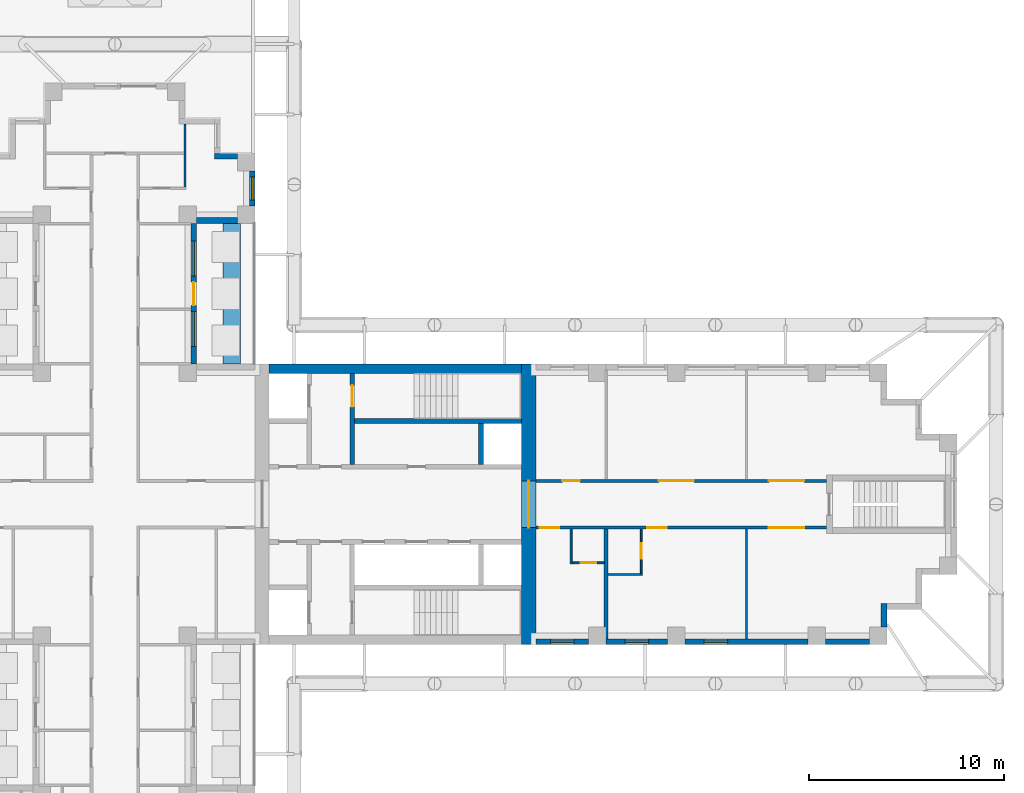
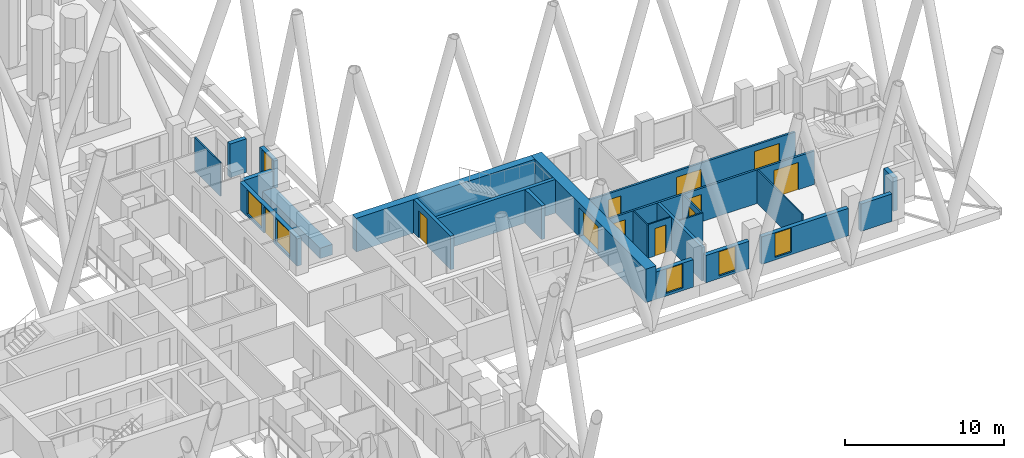
# One storey, part 11 of 16: 24 walls, 11 doors, 6 windows, 17 openings.
"""IFC4 building model written with IfcOpenShell, lengths in metres."""

from ifc_helpers import new_model, si_unit, direction, frame, frame_2d, origin, place, context, subcontext, project, spatial, rectangle, extrude, material, layer, layer_set, type_object, element, fill, save


model = new_model("IFC4")

# Units and contexts
model_context = context("Model", 3, precision=1e-05, world=origin(), true_north=direction((0.0, 1.0)))
body_context = subcontext(model_context, "Body", "Model", "MODEL_VIEW")
ifc_project = project(units=[si_unit("LENGTHUNIT", "METRE"), si_unit("AREAUNIT", "SQUARE_METRE"), si_unit("VOLUMEUNIT", "CUBIC_METRE"), si_unit("PLANEANGLEUNIT", "RADIAN"), si_unit("MASSUNIT", "GRAM", prefix="KILO")], contexts=[model_context])

# Site, building, storey
site_placement = place(None, origin())
site = spatial("IfcSite", under=ifc_project, at=site_placement, CompositionType="ELEMENT")
building_placement = place(site_placement, origin())
building = spatial("IfcBuilding", under=site, at=building_placement, Name="Fustian Cross Tower", CompositionType="ELEMENT")
storey_placement = place(building_placement, frame((0.0, 0.0, 66.89990234375)))
storey = spatial("IfcBuildingStorey", under=building, at=storey_placement, Name="L20", CompositionType="ELEMENT", Elevation=66.89990234375)

# Wall, openings, doors
ifc_material_1 = material(Name="Plasterboard on steel stud", Category="steel")
ifc_layer_1 = layer(ifc_material_1, 0.14990234375)
ifc_layer_set_1 = layer_set([ifc_layer_1], Name="Plasterboard on steel stud")
wall_type_1 = type_object("IfcWallType", Name="COMPARTMENT WALL 150 EI 60", PredefinedType="PARTITIONING", material=ifc_layer_set_1)
wall_1_placement = place(storey_placement, frame((21.60009765625, -1.199951171875, 0.0), z_axis=(0.0, 0.0, 1.0), x_axis=(1.0, 0.0, 0.0)))
wall_1 = element("IfcWall", 1, at=wall_1_placement, inside=storey, type_object=wall_type_1, Name="Partition 84", PredefinedType="PARTITIONING", context=body_context, shape_type="SweptSolid", body=[
    extrude(rectangle(XDim=14.89990234375, YDim=0.14990234375, at=frame_2d((7.449951171875, 0.0))), origin(), (0.0, 0.0, 1.0), 2.5751953125),
])
opening_1_placement = place(wall_1_placement, frame((0.199951171875, 0.0, 0.0)))
opening_1 = element("IfcOpeningElement", 2, at=opening_1_placement, cuts=wall_1, Name="Opening D11013", PredefinedType="OPENING", context=body_context, shape_type="SweptSolid", body=[
    extrude(rectangle(XDim=1.0, YDim=2.10009765625, at=frame_2d((0.5, 1.050048828125))), frame((0.0, 0.0849609375, 0.0), z_axis=(0.0, -1.0, 0.0), x_axis=(1.0, 0.0, 0.0)), (0.0, 0.0, 1.0), 0.169921875),
])
opening_2_placement = place(wall_1_placement, frame((5.7099609375, 0.0, 0.0)))
opening_2 = element("IfcOpeningElement", 3, at=opening_2_placement, cuts=wall_1, Name="Opening D11015", PredefinedType="OPENING", context=body_context, shape_type="SweptSolid", body=[
    extrude(rectangle(XDim=1.0, YDim=2.10009765625, at=frame_2d((0.5, 1.050048828125))), frame((0.0, 0.0849609375, 0.0), z_axis=(0.0, -1.0, 0.0), x_axis=(1.0, 0.0, 0.0)), (0.0, 0.0, 1.0), 0.169921875),
])
opening_3_placement = place(wall_1_placement, frame((11.949951171875, 0.0, 0.0)))
opening_3 = element("IfcOpeningElement", 4, at=opening_3_placement, cuts=wall_1, Name="Opening D11016", PredefinedType="OPENING", context=body_context, shape_type="SweptSolid", body=[
    extrude(rectangle(XDim=1.800048828125, YDim=2.10009765625, at=frame_2d((0.89990234375, 1.050048828125))), frame((0.0, 0.0849609375, 0.0), z_axis=(0.0, -1.0, 0.0), x_axis=(1.0, 0.0, 0.0)), (0.0, 0.0, 1.0), 0.169921875),
])
ifc_material_2 = material(Name="Timber fire door set", Category="wood")
door_type_1 = type_object("IfcDoorType", Name="FIRE DOUBLE DOOR 1800 FD30S", OperationType="DOUBLE_DOOR_DOUBLE_SWING", PredefinedType="DOOR", material=ifc_material_2)
door_1_placement = place(opening_3_placement, origin())
door_1 = element("IfcDoor", 5, at=door_1_placement, inside=storey, type_object=door_type_1, Name="Door D11016", OperationType="DOUBLE_DOOR_DOUBLE_SWING", OverallHeight=2.10009765625, OverallWidth=1.800048828125, PredefinedType="DOOR", context=body_context, shape_type="SweptSolid", body=[
    extrude(rectangle(XDim=1.800048828125, YDim=2.10009765625, at=frame_2d((0.89990234375, 1.050048828125))), frame((0.0, 0.02490234375, 0.0), z_axis=(0.0, -1.0, 0.0), x_axis=(1.0, 0.0, 0.0)), (0.0, 0.0, 1.0), 0.050048828125),
])
fill(opening_3, door_1)
ifc_material_3 = material(Name="Timber fire door set", Category="wood")
door_type_2 = type_object("IfcDoorType", Name="FIRE SWING DOOR 1000 FD30S", OperationType="SINGLE_SWING_LEFT", PredefinedType="DOOR", material=ifc_material_3)
door_2_placement = place(opening_1_placement, frame((1.0, 0.0, 0.0), z_axis=(0.0, 0.0, 1.0), x_axis=(-1.0, 0.0, 0.0)))
door_2 = element("IfcDoor", 6, at=door_2_placement, inside=storey, type_object=door_type_2, Name="Door D11013", OperationType="SINGLE_SWING_RIGHT", OverallHeight=2.10009765625, OverallWidth=1.0, PredefinedType="DOOR", context=body_context, shape_type="SweptSolid", body=[
    extrude(rectangle(XDim=1.0, YDim=2.10009765625, at=frame_2d((0.5, 1.050048828125))), frame((0.0, 0.02490234375, 0.0), z_axis=(0.0, -1.0, 0.0), x_axis=(1.0, 0.0, 0.0)), (0.0, 0.0, 1.0), 0.050048828125),
])
fill(opening_1, door_2)
door_3_placement = place(opening_2_placement, frame((1.0, 0.0, 0.0), z_axis=(0.0, 0.0, 1.0), x_axis=(-1.0, 0.0, 0.0)))
door_3 = element("IfcDoor", 7, at=door_3_placement, inside=storey, type_object=door_type_2, Name="Door D11015", OperationType="SINGLE_SWING_RIGHT", OverallHeight=2.10009765625, OverallWidth=1.0, PredefinedType="DOOR", context=body_context, shape_type="SweptSolid", body=[
    extrude(rectangle(XDim=1.0, YDim=2.10009765625, at=frame_2d((0.5, 1.050048828125))), frame((0.0, 0.02490234375, 0.0), z_axis=(0.0, -1.0, 0.0), x_axis=(1.0, 0.0, 0.0)), (0.0, 0.0, 1.0), 0.050048828125),
])
fill(opening_2, door_3)

wall_2_placement = place(storey_placement, frame((21.60009765625, 1.199951171875, 0.0), z_axis=(0.0, 0.0, 1.0), x_axis=(1.0, 0.0, 0.0)))
wall_2 = element("IfcWall", 8, at=wall_2_placement, inside=storey, type_object=wall_type_1, Name="Partition 85", PredefinedType="PARTITIONING", context=body_context, shape_type="SweptSolid", body=[
    extrude(rectangle(XDim=14.89990234375, YDim=0.14990234375, at=frame_2d((7.449951171875, 0.0))), origin(), (0.0, 0.0, 1.0), 2.5751953125),
])
opening_4_placement = place(wall_2_placement, frame((1.35009765625, 0.0, 0.0)))
opening_4 = element("IfcOpeningElement", 9, at=opening_4_placement, cuts=wall_2, Name="Opening D11009", PredefinedType="OPENING", context=body_context, shape_type="SweptSolid", body=[
    extrude(rectangle(XDim=0.89990234375, YDim=2.10009765625, at=frame_2d((0.449951171875, 1.050048828125))), frame((0.0, 0.0849609375, 0.0), z_axis=(0.0, -1.0, 0.0), x_axis=(1.0, 0.0, 0.0)), (0.0, 0.0, 1.0), 0.169921875),
])
opening_5_placement = place(wall_2_placement, frame((6.300048828125, 0.0, 0.0)))
opening_5 = element("IfcOpeningElement", 10, at=opening_5_placement, cuts=wall_2, Name="Opening D11010", PredefinedType="OPENING", context=body_context, shape_type="SweptSolid", body=[
    extrude(rectangle(XDim=1.800048828125, YDim=2.10009765625, at=frame_2d((0.89990234375, 1.050048828125))), frame((0.0, 0.0849609375, 0.0), z_axis=(0.0, -1.0, 0.0), x_axis=(1.0, 0.0, 0.0)), (0.0, 0.0, 1.0), 0.169921875),
])
opening_6_placement = place(wall_2_placement, frame((11.949951171875, 0.0, 0.0)))
opening_6 = element("IfcOpeningElement", 11, at=opening_6_placement, cuts=wall_2, Name="Opening D11011", PredefinedType="OPENING", context=body_context, shape_type="SweptSolid", body=[
    extrude(rectangle(XDim=1.800048828125, YDim=2.10009765625, at=frame_2d((0.89990234375, 1.050048828125))), frame((0.0, 0.0849609375, 0.0), z_axis=(0.0, -1.0, 0.0), x_axis=(1.0, 0.0, 0.0)), (0.0, 0.0, 1.0), 0.169921875),
])
door_4_placement = place(opening_5_placement, frame((1.800048828125, 0.0, 0.0), z_axis=(0.0, 0.0, 1.0), x_axis=(-1.0, 0.0, 0.0)))
door_4 = element("IfcDoor", 12, at=door_4_placement, inside=storey, type_object=door_type_1, Name="Door D11010", OperationType="DOUBLE_DOOR_DOUBLE_SWING", OverallHeight=2.10009765625, OverallWidth=1.800048828125, PredefinedType="DOOR", context=body_context, shape_type="SweptSolid", body=[
    extrude(rectangle(XDim=1.800048828125, YDim=2.10009765625, at=frame_2d((0.89990234375, 1.050048828125))), frame((0.0, 0.02490234375, 0.0), z_axis=(0.0, -1.0, 0.0), x_axis=(1.0, 0.0, 0.0)), (0.0, 0.0, 1.0), 0.050048828125),
])
fill(opening_5, door_4)
door_5_placement = place(opening_6_placement, frame((1.800048828125, 0.0, 0.0), z_axis=(0.0, 0.0, 1.0), x_axis=(-1.0, 0.0, 0.0)))
door_5 = element("IfcDoor", 13, at=door_5_placement, inside=storey, type_object=door_type_1, Name="Door D11011", OperationType="DOUBLE_DOOR_DOUBLE_SWING", OverallHeight=2.10009765625, OverallWidth=1.800048828125, PredefinedType="DOOR", context=body_context, shape_type="SweptSolid", body=[
    extrude(rectangle(XDim=1.800048828125, YDim=2.10009765625, at=frame_2d((0.89990234375, 1.050048828125))), frame((0.0, 0.02490234375, 0.0), z_axis=(0.0, -1.0, 0.0), x_axis=(1.0, 0.0, 0.0)), (0.0, 0.0, 1.0), 0.050048828125),
])
fill(opening_6, door_5)
ifc_material_4 = material(Name="Timber fire door set", Category="wood")
door_type_3 = type_object("IfcDoorType", Name="FIRE SWING DOOR 900 FD30S", OperationType="SINGLE_SWING_LEFT", PredefinedType="DOOR", material=ifc_material_4)
door_6_placement = place(opening_4_placement, origin())
door_6 = element("IfcDoor", 14, at=door_6_placement, inside=storey, type_object=door_type_3, Name="Door D11009", OperationType="SINGLE_SWING_LEFT", OverallHeight=2.10009765625, OverallWidth=0.89990234375, PredefinedType="DOOR", context=body_context, shape_type="SweptSolid", body=[
    extrude(rectangle(XDim=0.89990234375, YDim=2.10009765625, at=frame_2d((0.449951171875, 1.050048828125))), frame((0.0, 0.02490234375, 0.0), z_axis=(0.0, -1.0, 0.0), x_axis=(1.0, 0.0, 0.0)), (0.0, 0.0, 1.0), 0.050048828125),
])
fill(opening_4, door_6)

# Wall, opening, door
ifc_material_5 = material(Name="Concrete C70/85", Category="concrete")
ifc_layer_2 = layer(ifc_material_5, 0.75)
ifc_layer_set_2 = layer_set([ifc_layer_2], Name="Concrete C70/85")
wall_type_2 = type_object("IfcWallType", Name="CORE END WALL 750 C70/85", PredefinedType="SHEAR", material=ifc_layer_set_2)
wall_3_placement = place(storey_placement, frame((21.22509765625, -7.199951171875, 0.0), z_axis=(0.0, 0.0, 1.0), x_axis=(0.0, 1.0, 0.0)))
wall_3 = element("IfcWall", 15, at=wall_3_placement, inside=storey, type_object=wall_type_2, Name="Core end wall", PredefinedType="SHEAR", context=body_context, shape_type="SweptSolid", body=[
    extrude(rectangle(XDim=14.39990234375, YDim=0.75, at=frame_2d((7.199951171875, 0.0))), origin(), (0.0, 0.0, 1.0), 2.5751953125),
])
opening_7_placement = place(wall_3_placement, frame((6.0, 0.0, 0.0)))
opening_7 = element("IfcOpeningElement", 16, at=opening_7_placement, cuts=wall_3, Name="Opening CD-09-13", PredefinedType="OPENING", context=body_context, shape_type="SweptSolid", body=[
    extrude(rectangle(XDim=2.39990234375, YDim=2.199951171875, at=frame_2d((1.199951171875, 1.10009765625))), frame((0.0, 0.385009765625, 0.0), z_axis=(0.0, -1.0, 0.0), x_axis=(1.0, 0.0, 0.0)), (0.0, 0.0, 1.0), 0.77001953125),
])
ifc_material_6 = material(Name="Steel", Category="steel")
door_type_4 = type_object("IfcDoorType", Name="FIRE DOOR FD30S DOUBLE 2400X2200", OperationType="DOUBLE_DOOR_DOUBLE_SWING", PredefinedType="DOOR", material=ifc_material_6)
door_7_placement = place(opening_7_placement, origin())
door_7 = element("IfcDoor", 17, at=door_7_placement, inside=storey, type_object=door_type_4, Name="Core door CD-09-13", OperationType="DOUBLE_DOOR_DOUBLE_SWING", OverallHeight=2.199951171875, OverallWidth=2.39990234375, PredefinedType="DOOR", context=body_context, shape_type="SweptSolid", body=[
    extrude(rectangle(XDim=2.39990234375, YDim=2.199951171875, at=frame_2d((1.199951171875, 1.10009765625))), frame((0.0, 0.02490234375, 0.0), z_axis=(0.0, -1.0, 0.0), x_axis=(1.0, 0.0, 0.0)), (0.0, 0.0, 1.0), 0.050048828125),
])
fill(opening_7, door_7)

# Walls
ifc_material_7 = material(Name="Concrete C70/85", Category="concrete")
ifc_layer_3 = layer(ifc_material_7, 0.5)
ifc_layer_set_3 = layer_set([ifc_layer_3], Name="Concrete C70/85")
wall_type_3 = type_object("IfcWallType", Name="CORE FACADE WALL 500 C70/85", PredefinedType="SHEAR", material=ifc_layer_set_3)
wall_4_placement = place(storey_placement, frame((7.89990234375, 6.949951171875, 0.0), z_axis=(0.0, 0.0, 1.0), x_axis=(1.0, 0.0, 0.0)))
element("IfcWall", 18, at=wall_4_placement, inside=storey, type_object=wall_type_3, Name="Core facade wall", PredefinedType="SHEAR", context=body_context, shape_type="SweptSolid", body=[
    extrude(rectangle(XDim=12.9501953125, YDim=0.5, at=frame_2d((6.47509765625, 0.0))), origin(), (0.0, 0.0, 1.0), 2.5751953125),
])
ifc_material_8 = material(Name="Concrete C50/60", Category="concrete")
ifc_layer_4 = layer(ifc_material_8, 0.25)
ifc_layer_set_4 = layer_set([ifc_layer_4], Name="Concrete C50/60")
wall_type_4 = type_object("IfcWallType", Name="CORE SHAFT WALL 250 C50/60", PredefinedType="SHEAR", material=ifc_layer_set_4)
wall_5_placement = place(storey_placement, frame((12.300048828125, 4.27490234375, 0.0), z_axis=(0.0, 0.0, 1.0), x_axis=(1.0, 0.0, 0.0)))
element("IfcWall", 19, at=wall_5_placement, inside=storey, type_object=wall_type_4, Name="Core shaft wall", PredefinedType="SHEAR", context=body_context, shape_type="SweptSolid", body=[
    extrude(rectangle(XDim=8.550048828125, YDim=0.25, at=frame_2d((4.27490234375, 0.0))), origin(), (0.0, 0.0, 1.0), 2.5751953125),
])

# Wall, opening, door
wall_6_placement = place(storey_placement, frame((12.175048828125, 2.050048828125, 0.0), z_axis=(0.0, 0.0, 1.0), x_axis=(0.0, 1.0, 0.0)))
wall_6 = element("IfcWall", 20, at=wall_6_placement, inside=storey, type_object=wall_type_4, Name="Core shaft wall", PredefinedType="SHEAR", context=body_context, shape_type="SweptSolid", body=[
    extrude(rectangle(XDim=4.64990234375, YDim=0.25, at=frame_2d((2.324951171875, 0.0))), origin(), (0.0, 0.0, 1.0), 2.5751953125),
])
opening_8_placement = place(wall_6_placement, frame((2.949951171875, 0.0, 0.0)))
opening_8 = element("IfcOpeningElement", 21, at=opening_8_placement, cuts=wall_6, Name="Opening CD-09-06", PredefinedType="OPENING", context=body_context, shape_type="SweptSolid", body=[
    extrude(rectangle(XDim=1.10009765625, YDim=2.10009765625, at=frame_2d((0.550048828125, 1.050048828125))), frame((0.0, 0.135009765625, 0.0), z_axis=(0.0, -1.0, 0.0), x_axis=(1.0, 0.0, 0.0)), (0.0, 0.0, 1.0), 0.27001953125),
])
ifc_material_9 = material(Name="Steel", Category="steel")
door_type_5 = type_object("IfcDoorType", Name="FIRE DOOR FD60S 1100X2100", OperationType="SINGLE_SWING_LEFT", PredefinedType="DOOR", material=ifc_material_9)
door_8_placement = place(opening_8_placement, frame((1.10009765625, 0.0, 0.0), z_axis=(0.0, 0.0, 1.0), x_axis=(-1.0, 0.0, 0.0)))
door_8 = element("IfcDoor", 22, at=door_8_placement, inside=storey, type_object=door_type_5, Name="Core door CD-09-06", OperationType="SINGLE_SWING_RIGHT", OverallHeight=2.10009765625, OverallWidth=1.10009765625, PredefinedType="DOOR", context=body_context, shape_type="SweptSolid", body=[
    extrude(rectangle(XDim=1.10009765625, YDim=2.10009765625, at=frame_2d((0.550048828125, 1.050048828125))), frame((0.0, 0.02490234375, 0.0), z_axis=(0.0, -1.0, 0.0), x_axis=(1.0, 0.0, 0.0)), (0.0, 0.0, 1.0), 0.050048828125),
])
fill(opening_8, door_8)

# Walls
ifc_material_10 = material(Name="Plasterboard on steel stud", Category="steel")
ifc_layer_5 = layer(ifc_material_10, 0.10009765625)
ifc_layer_set_5 = layer_set([ifc_layer_5], Name="Plasterboard on steel stud")
wall_type_5 = type_object("IfcWallType", Name="PARTITION 100 STUD", PredefinedType="PARTITIONING", material=ifc_layer_set_5)
wall_7_placement = place(storey_placement, frame((3.60009765625, 16.25, 0.0), z_axis=(0.0, 0.0, 1.0), x_axis=(0.0, 1.0, 0.0)))
element("IfcWall", 23, at=wall_7_placement, inside=storey, type_object=wall_type_5, Name="Partition 77", PredefinedType="PARTITIONING", context=body_context, shape_type="SweptSolid", body=[
    extrude(rectangle(XDim=3.25, YDim=0.10009765625, at=frame_2d((1.625, 0.0))), origin(), (0.0, 0.0, 1.0), 2.5751953125),
])
wall_8_placement = place(storey_placement, frame((23.39990234375, -3.050048828125, 0.0), z_axis=(0.0, 0.0, 1.0), x_axis=(0.0, 1.0, 0.0)))
element("IfcWall", 24, at=wall_8_placement, inside=storey, type_object=wall_type_5, Name="Partition 86", PredefinedType="PARTITIONING", context=body_context, shape_type="SweptSolid", body=[
    extrude(rectangle(XDim=1.775146484375, YDim=0.10009765625, at=frame_2d((0.8876953125, 0.0))), origin(), (0.0, 0.0, 1.0), 2.5751953125),
])

# Wall, opening, door
wall_9_placement = place(storey_placement, frame((23.449951171875, -3.0, 0.0), z_axis=(0.0, 0.0, 1.0), x_axis=(1.0, 0.0, 0.0)))
wall_9 = element("IfcWall", 25, at=wall_9_placement, inside=storey, type_object=wall_type_5, Name="Partition 87", PredefinedType="PARTITIONING", context=body_context, shape_type="SweptSolid", body=[
    extrude(rectangle(XDim=1.650146484375, YDim=0.10009765625, at=frame_2d((0.8251953125, 0.0))), origin(), (0.0, 0.0, 1.0), 2.5751953125),
])
opening_9_placement = place(wall_9_placement, frame((0.449951171875, 0.0, 0.0)))
opening_9 = element("IfcOpeningElement", 26, at=opening_9_placement, cuts=wall_9, Name="Opening D11012", PredefinedType="OPENING", context=body_context, shape_type="SweptSolid", body=[
    extrude(rectangle(XDim=0.800048828125, YDim=2.10009765625, at=frame_2d((0.39990234375, 1.050048828125))), frame((0.0, 0.06005859375, 0.0), z_axis=(0.0, -1.0, 0.0), x_axis=(1.0, 0.0, 0.0)), (0.0, 0.0, 1.0), 0.1201171875),
])
ifc_material_11 = material(Name="Painted timber", Category="wood")
door_type_6 = type_object("IfcDoorType", Name="SWING DOOR 800", OperationType="SINGLE_SWING_LEFT", PredefinedType="DOOR", material=ifc_material_11)
door_9_placement = place(opening_9_placement, origin())
door_9 = element("IfcDoor", 27, at=door_9_placement, inside=storey, type_object=door_type_6, Name="Door D11012", OperationType="SINGLE_SWING_RIGHT", OverallHeight=2.10009765625, OverallWidth=0.800048828125, PredefinedType="DOOR", context=body_context, shape_type="SweptSolid", body=[
    extrude(rectangle(XDim=0.800048828125, YDim=2.10009765625, at=frame_2d((0.39990234375, 1.050048828125))), frame((0.0, 0.02490234375, 0.0), z_axis=(0.0, -1.0, 0.0), x_axis=(1.0, 0.0, 0.0)), (0.0, 0.0, 1.0), 0.050048828125),
])
fill(opening_9, door_9)

# Wall
wall_10_placement = place(storey_placement, frame((25.300048828125, -3.60009765625, 0.0), z_axis=(0.0, 0.0, 1.0), x_axis=(1.0, 0.0, 0.0)))
element("IfcWall", 28, at=wall_10_placement, inside=storey, type_object=wall_type_5, Name="Partition 89", PredefinedType="PARTITIONING", context=body_context, shape_type="SweptSolid", body=[
    extrude(rectangle(XDim=1.75, YDim=0.10009765625, at=frame_2d((0.875, 0.0))), origin(), (0.0, 0.0, 1.0), 2.5751953125),
])

# Wall, opening, door
wall_11_placement = place(storey_placement, frame((27.0, -3.550048828125, 0.0), z_axis=(0.0, 0.0, 1.0), x_axis=(0.0, 1.0, 0.0)))
wall_11 = element("IfcWall", 29, at=wall_11_placement, inside=storey, type_object=wall_type_5, Name="Partition 91", PredefinedType="PARTITIONING", context=body_context, shape_type="SweptSolid", body=[
    extrude(rectangle(XDim=2.275146484375, YDim=0.10009765625, at=frame_2d((1.1376953125, 0.0))), origin(), (0.0, 0.0, 1.0), 2.5751953125),
])
opening_10_placement = place(wall_11_placement, frame((0.75, 0.0, 0.0)))
opening_10 = element("IfcOpeningElement", 30, at=opening_10_placement, cuts=wall_11, Name="Opening D11014", PredefinedType="OPENING", context=body_context, shape_type="SweptSolid", body=[
    extrude(rectangle(XDim=0.800048828125, YDim=2.10009765625, at=frame_2d((0.39990234375, 1.050048828125))), frame((0.0, 0.06005859375, 0.0), z_axis=(0.0, -1.0, 0.0), x_axis=(1.0, 0.0, 0.0)), (0.0, 0.0, 1.0), 0.1201171875),
])
door_10_placement = place(opening_10_placement, origin())
door_10 = element("IfcDoor", 31, at=door_10_placement, inside=storey, type_object=door_type_6, Name="Door D11014", OperationType="SINGLE_SWING_LEFT", OverallHeight=2.10009765625, OverallWidth=0.800048828125, PredefinedType="DOOR", context=body_context, shape_type="SweptSolid", body=[
    extrude(rectangle(XDim=0.800048828125, YDim=2.10009765625, at=frame_2d((0.39990234375, 1.050048828125))), frame((0.0, 0.02490234375, 0.0), z_axis=(0.0, -1.0, 0.0), x_axis=(1.0, 0.0, 0.0)), (0.0, 0.0, 1.0), 0.050048828125),
])
fill(opening_10, door_10)

# Walls
wall_12_placement = place(storey_placement, frame((32.39990234375, -6.89990234375, 0.0), z_axis=(0.0, 0.0, 1.0), x_axis=(0.0, 1.0, 0.0)))
element("IfcWall", 32, at=wall_12_placement, inside=storey, type_object=wall_type_5, Name="Partition 92", PredefinedType="PARTITIONING", context=body_context, shape_type="SweptSolid", body=[
    extrude(rectangle(XDim=5.625, YDim=0.10009765625, at=frame_2d((2.8125, 0.0))), origin(), (0.0, 0.0, 1.0), 2.5751953125),
])
ifc_material_12 = material(Name="Plasterboard on steel stud", Category="steel")
ifc_layer_6 = layer(ifc_material_12, 0.199951171875)
ifc_layer_set_6 = layer_set([ifc_layer_6], Name="Plasterboard on steel stud")
wall_type_6 = type_object("IfcWallType", Name="PARTY WALL 200 EI 60", PredefinedType="PARTITIONING", material=ifc_layer_set_6)
wall_13_placement = place(storey_placement, frame((25.199951171875, -6.89990234375, 0.0), z_axis=(0.0, 0.0, 1.0), x_axis=(0.0, 1.0, 0.0)))
element("IfcWall", 33, at=wall_13_placement, inside=storey, type_object=wall_type_6, Name="Partition 88", PredefinedType="PARTITIONING", context=body_context, shape_type="SweptSolid", body=[
    extrude(rectangle(XDim=5.625, YDim=0.199951171875, at=frame_2d((2.8125, 0.0))), origin(), (0.0, 0.0, 1.0), 2.5751953125),
])
ifc_material_13 = material(Name="Concrete C40/50", Category="concrete")
ifc_layer_7 = layer(ifc_material_13, 0.89990234375)
ifc_layer_set_7 = layer_set([ifc_layer_7], Name="Concrete C40/50")
wall_type_7 = type_object("IfcWallType", Name="PK1 PLANTER 900", PredefinedType="PARAPET", material=ifc_layer_set_7)
wall_14_placement = place(storey_placement, frame((6.0, 7.199951171875, 0.0), z_axis=(0.0, 0.0, 1.0), x_axis=(0.0, 1.0, 0.0)))
element("IfcWall", 34, at=wall_14_placement, inside=storey, type_object=wall_type_7, Name="PLANTER", PredefinedType="PARAPET", context=body_context, shape_type="SweptSolid", body=[
    extrude(rectangle(XDim=7.199951171875, YDim=0.89990234375, at=frame_2d((3.60009765625, 0.0))), origin(), (0.0, 0.0, 1.0), 0.800048828125),
])
ifc_material_14 = material(Name="Concrete C40/50", Category="concrete")
ifc_layer_8 = layer(ifc_material_14, 0.25)
ifc_layer_set_8 = layer_set([ifc_layer_8], Name="Concrete C40/50")
wall_type_8 = type_object("IfcWallType", Name="SHAFT PARTITION WALL 250 C40/50", PredefinedType="PARTITIONING", material=ifc_layer_set_8)
wall_15_placement = place(storey_placement, frame((18.77490234375, 2.050048828125, 0.0), z_axis=(0.0, 0.0, 1.0), x_axis=(0.0, 1.0, 0.0)))
element("IfcWall", 35, at=wall_15_placement, inside=storey, type_object=wall_type_8, Name="Core shaft wall", PredefinedType="PARTITIONING", context=body_context, shape_type="SweptSolid", body=[
    extrude(rectangle(XDim=2.099853515625, YDim=0.25, at=frame_2d((1.0498046875, 0.0))), origin(), (0.0, 0.0, 1.0), 2.5751953125),
])

# Wall, opening, window
ifc_material_15 = material(Name="Dark aluminium cladding on insulated backing wall", Category="aluminium")
ifc_layer_9 = layer(ifc_material_15, 0.300048828125)
ifc_layer_set_9 = layer_set([ifc_layer_9], Name="Dark aluminium cladding on insulated backing wall")
wall_type_9 = type_object("IfcWallType", Name="XW1 EXTERNAL WALL 300", PredefinedType="SOLIDWALL", material=ifc_layer_set_9)
wall_16_placement = place(storey_placement, frame((21.60009765625, -7.050048828125, 0.0), z_axis=(0.0, 0.0, 1.0), x_axis=(1.0, 0.0, 0.0)))
wall_16 = element("IfcWall", 36, at=wall_16_placement, inside=storey, type_object=wall_type_9, Name="External wall", PredefinedType="SOLIDWALL", context=body_context, shape_type="SweptSolid", body=[
    extrude(rectangle(XDim=2.699951171875, YDim=0.300048828125, at=frame_2d((1.35009765625, 0.0))), origin(), (0.0, 0.0, 1.0), 2.10009765625),
])
opening_11_placement = place(wall_16_placement, frame((0.75, 0.0, 0.199951171875)))
opening_11 = element("IfcOpeningElement", 37, at=opening_11_placement, cuts=wall_16, Name="Opening WN3", PredefinedType="OPENING", context=body_context, shape_type="SweptSolid", body=[
    extrude(rectangle(XDim=1.199951171875, YDim=1.85009765625, at=frame_2d((0.60009765625, 0.925048828125))), frame((0.0, 0.159912109375, 0.0), z_axis=(0.0, -1.0, 0.0), x_axis=(1.0, 0.0, 0.0)), (0.0, 0.0, 1.0), 0.320068359375),
])
ifc_material_16 = material(Name="Dark anodised aluminium and double glazing", Category="aluminium")
window_type_1 = type_object("IfcWindowType", Name="WN3 WINDOW 1200X1850", PartitioningType="SINGLE_PANEL", PredefinedType="WINDOW", material=ifc_material_16)
window_1_placement = place(opening_11_placement, origin())
window_1 = element("IfcWindow", 38, at=window_1_placement, inside=storey, type_object=window_type_1, Name="Window", OverallHeight=1.85009765625, OverallWidth=1.199951171875, PartitioningType="SINGLE_PANEL", PredefinedType="WINDOW", context=body_context, shape_type="SweptSolid", body=[
    extrude(rectangle(XDim=1.199951171875, YDim=1.85009765625, at=frame_2d((0.60009765625, 0.925048828125))), frame((0.0, 0.030029296875, 0.0), z_axis=(0.0, -1.0, 0.0), x_axis=(1.0, 0.0, 0.0)), (0.0, 0.0, 1.0), 0.06005859375),
])
fill(opening_11, window_1)

wall_17_placement = place(storey_placement, frame((25.199951171875, -7.050048828125, 0.0), z_axis=(0.0, 0.0, 1.0), x_axis=(1.0, 0.0, 0.0)))
wall_17 = element("IfcWall", 39, at=wall_17_placement, inside=storey, type_object=wall_type_9, Name="External wall", PredefinedType="SOLIDWALL", context=body_context, shape_type="SweptSolid", body=[
    extrude(rectangle(XDim=3.150146484375, YDim=0.300048828125, at=frame_2d((1.5751953125, 0.0))), origin(), (0.0, 0.0, 1.0), 2.10009765625),
])
opening_12_placement = place(wall_17_placement, frame((0.97509765625, 0.0, 0.199951171875)))
opening_12 = element("IfcOpeningElement", 40, at=opening_12_placement, cuts=wall_17, Name="Opening WN3", PredefinedType="OPENING", context=body_context, shape_type="SweptSolid", body=[
    extrude(rectangle(XDim=1.199951171875, YDim=1.85009765625, at=frame_2d((0.60009765625, 0.925048828125))), frame((0.0, 0.159912109375, 0.0), z_axis=(0.0, -1.0, 0.0), x_axis=(1.0, 0.0, 0.0)), (0.0, 0.0, 1.0), 0.320068359375),
])
window_2_placement = place(opening_12_placement, origin())
window_2 = element("IfcWindow", 41, at=window_2_placement, inside=storey, type_object=window_type_1, Name="Window", OverallHeight=1.85009765625, OverallWidth=1.199951171875, PartitioningType="SINGLE_PANEL", PredefinedType="WINDOW", context=body_context, shape_type="SweptSolid", body=[
    extrude(rectangle(XDim=1.199951171875, YDim=1.85009765625, at=frame_2d((0.60009765625, 0.925048828125))), frame((0.0, 0.030029296875, 0.0), z_axis=(0.0, -1.0, 0.0), x_axis=(1.0, 0.0, 0.0)), (0.0, 0.0, 1.0), 0.06005859375),
])
fill(opening_12, window_2)

wall_18_placement = place(storey_placement, frame((29.25, -7.050048828125, 0.0), z_axis=(0.0, 0.0, 1.0), x_axis=(1.0, 0.0, 0.0)))
wall_18 = element("IfcWall", 42, at=wall_18_placement, inside=storey, type_object=wall_type_9, Name="External wall", PredefinedType="SOLIDWALL", context=body_context, shape_type="SweptSolid", body=[
    extrude(rectangle(XDim=6.300048828125, YDim=0.300048828125, at=frame_2d((3.14990234375, 0.0))), origin(), (0.0, 0.0, 1.0), 2.10009765625),
])
opening_13_placement = place(wall_18_placement, frame((0.97509765625, 0.0, 0.199951171875)))
opening_13 = element("IfcOpeningElement", 43, at=opening_13_placement, cuts=wall_18, Name="Opening WN3", PredefinedType="OPENING", context=body_context, shape_type="SweptSolid", body=[
    extrude(rectangle(XDim=1.199951171875, YDim=1.85009765625, at=frame_2d((0.60009765625, 0.925048828125))), frame((0.0, 0.159912109375, 0.0), z_axis=(0.0, -1.0, 0.0), x_axis=(1.0, 0.0, 0.0)), (0.0, 0.0, 1.0), 0.320068359375),
])
window_3_placement = place(opening_13_placement, origin())
window_3 = element("IfcWindow", 44, at=window_3_placement, inside=storey, type_object=window_type_1, Name="Window", OverallHeight=1.85009765625, OverallWidth=1.199951171875, PartitioningType="SINGLE_PANEL", PredefinedType="WINDOW", context=body_context, shape_type="SweptSolid", body=[
    extrude(rectangle(XDim=1.199951171875, YDim=1.85009765625, at=frame_2d((0.60009765625, 0.925048828125))), frame((0.0, 0.030029296875, 0.0), z_axis=(0.0, -1.0, 0.0), x_axis=(1.0, 0.0, 0.0)), (0.0, 0.0, 1.0), 0.06005859375),
])
fill(opening_13, window_3)

# Walls
wall_19_placement = place(storey_placement, frame((36.449951171875, -7.050048828125, 0.0), z_axis=(0.0, 0.0, 1.0), x_axis=(1.0, 0.0, 0.0)))
element("IfcWall", 45, at=wall_19_placement, inside=storey, type_object=wall_type_9, Name="External wall", PredefinedType="SOLIDWALL", context=body_context, shape_type="SweptSolid", body=[
    extrude(rectangle(XDim=2.25, YDim=0.300048828125, at=frame_2d((1.125, 0.0))), origin(), (0.0, 0.0, 1.0), 2.10009765625),
])
wall_20_placement = place(storey_placement, frame((39.449951171875, -6.300048828125, 0.0), z_axis=(0.0, 0.0, 1.0), x_axis=(0.0, 1.0, 0.0)))
element("IfcWall", 46, at=wall_20_placement, inside=storey, type_object=wall_type_9, Name="External wall", PredefinedType="SOLIDWALL", context=body_context, shape_type="SweptSolid", body=[
    extrude(rectangle(XDim=1.199951171875, YDim=0.300048828125, at=frame_2d((0.60009765625, 0.0))), origin(), (0.0, 0.0, 1.0), 2.5751953125),
])

# Wall, openings, door, windows
wall_21_placement = place(storey_placement, frame((4.050048828125, 7.199951171875, 0.0), z_axis=(0.0, 0.0, 1.0), x_axis=(0.0, 1.0, 0.0)))
wall_21 = element("IfcWall", 47, at=wall_21_placement, inside=storey, type_object=wall_type_9, Name="External wall", PredefinedType="SOLIDWALL", context=body_context, shape_type="SweptSolid", body=[
    extrude(rectangle(XDim=7.199951171875, YDim=0.300048828125, at=frame_2d((3.60009765625, 0.0))), origin(), (0.0, 0.0, 1.0), 2.10009765625),
])
opening_14_placement = place(wall_21_placement, frame((3.0, 0.0, 0.0)))
opening_14 = element("IfcOpeningElement", 48, at=opening_14_placement, cuts=wall_21, Name="Opening XD1", PredefinedType="OPENING", context=body_context, shape_type="SweptSolid", body=[
    extrude(rectangle(XDim=1.199951171875, YDim=2.050048828125, at=frame_2d((0.60009765625, 1.02490234375))), frame((0.0, 0.159912109375, 0.0), z_axis=(0.0, -1.0, 0.0), x_axis=(1.0, 0.0, 0.0)), (0.0, 0.0, 1.0), 0.320068359375),
])
opening_15_placement = place(wall_21_placement, frame((0.89990234375, 0.0, 0.199951171875)))
opening_15 = element("IfcOpeningElement", 49, at=opening_15_placement, cuts=wall_21, Name="Opening WN2", PredefinedType="OPENING", context=body_context, shape_type="SweptSolid", body=[
    extrude(rectangle(XDim=1.800048828125, YDim=1.85009765625, at=frame_2d((0.89990234375, 0.925048828125))), frame((0.0, 0.159912109375, 0.0), z_axis=(0.0, -1.0, 0.0), x_axis=(1.0, 0.0, 0.0)), (0.0, 0.0, 1.0), 0.320068359375),
])
opening_16_placement = place(wall_21_placement, frame((4.5, 0.0, 0.199951171875)))
opening_16 = element("IfcOpeningElement", 50, at=opening_16_placement, cuts=wall_21, Name="Opening WN2", PredefinedType="OPENING", context=body_context, shape_type="SweptSolid", body=[
    extrude(rectangle(XDim=1.800048828125, YDim=1.85009765625, at=frame_2d((0.89990234375, 0.925048828125))), frame((0.0, 0.159912109375, 0.0), z_axis=(0.0, -1.0, 0.0), x_axis=(1.0, 0.0, 0.0)), (0.0, 0.0, 1.0), 0.320068359375),
])
ifc_material_17 = material(Name="Dark anodised aluminium and double glazing", Category="aluminium")
door_type_7 = type_object("IfcDoorType", Name="ED1 BALCONY DOOR 1200X2050", OperationType="SINGLE_SWING_LEFT", PredefinedType="DOOR", material=ifc_material_17)
door_11_placement = place(opening_14_placement, origin())
door_11 = element("IfcDoor", 51, at=door_11_placement, inside=storey, type_object=door_type_7, Name="Balcony door", OperationType="SINGLE_SWING_LEFT", OverallHeight=2.050048828125, OverallWidth=1.199951171875, PredefinedType="DOOR", context=body_context, shape_type="SweptSolid", body=[
    extrude(rectangle(XDim=1.199951171875, YDim=2.050048828125, at=frame_2d((0.60009765625, 1.02490234375))), frame((0.0, 0.02490234375, 0.0), z_axis=(0.0, -1.0, 0.0), x_axis=(1.0, 0.0, 0.0)), (0.0, 0.0, 1.0), 0.050048828125),
])
fill(opening_14, door_11)
ifc_material_18 = material(Name="Dark anodised aluminium and double glazing", Category="aluminium")
window_type_2 = type_object("IfcWindowType", Name="WN2 WINDOW 1800X1850", PartitioningType="SINGLE_PANEL", PredefinedType="WINDOW", material=ifc_material_18)
window_4_placement = place(opening_15_placement, origin())
window_4 = element("IfcWindow", 52, at=window_4_placement, inside=storey, type_object=window_type_2, Name="Window", OverallHeight=1.85009765625, OverallWidth=1.800048828125, PartitioningType="SINGLE_PANEL", PredefinedType="WINDOW", context=body_context, shape_type="SweptSolid", body=[
    extrude(rectangle(XDim=1.800048828125, YDim=1.85009765625, at=frame_2d((0.89990234375, 0.925048828125))), frame((0.0, 0.030029296875, 0.0), z_axis=(0.0, -1.0, 0.0), x_axis=(1.0, 0.0, 0.0)), (0.0, 0.0, 1.0), 0.06005859375),
])
fill(opening_15, window_4)
window_5_placement = place(opening_16_placement, origin())
window_5 = element("IfcWindow", 53, at=window_5_placement, inside=storey, type_object=window_type_2, Name="Window", OverallHeight=1.85009765625, OverallWidth=1.800048828125, PartitioningType="SINGLE_PANEL", PredefinedType="WINDOW", context=body_context, shape_type="SweptSolid", body=[
    extrude(rectangle(XDim=1.800048828125, YDim=1.85009765625, at=frame_2d((0.89990234375, 0.925048828125))), frame((0.0, 0.030029296875, 0.0), z_axis=(0.0, -1.0, 0.0), x_axis=(1.0, 0.0, 0.0)), (0.0, 0.0, 1.0), 0.06005859375),
])
fill(opening_16, window_5)

# Wall
wall_22_placement = place(storey_placement, frame((4.199951171875, 14.550048828125, 0.0), z_axis=(0.0, 0.0, 1.0), x_axis=(1.0, 0.0, 0.0)))
element("IfcWall", 54, at=wall_22_placement, inside=storey, type_object=wall_type_9, Name="External wall", PredefinedType="SOLIDWALL", context=body_context, shape_type="SweptSolid", body=[
    extrude(rectangle(XDim=2.10009765625, YDim=0.300048828125, at=frame_2d((1.050048828125, 0.0))), origin(), (0.0, 0.0, 1.0), 2.10009765625),
])

# Wall, opening, window
wall_23_placement = place(storey_placement, frame((7.050048828125, 15.300048828125, 0.0), z_axis=(0.0, 0.0, 1.0), x_axis=(0.0, 1.0, 0.0)))
wall_23 = element("IfcWall", 55, at=wall_23_placement, inside=storey, type_object=wall_type_9, Name="External wall", PredefinedType="SOLIDWALL", context=body_context, shape_type="SweptSolid", body=[
    extrude(rectangle(XDim=1.800048828125, YDim=0.300048828125, at=frame_2d((0.89990234375, 0.0))), origin(), (0.0, 0.0, 1.0), 2.10009765625),
])
opening_17_placement = place(wall_23_placement, frame((0.300048828125, 0.0, 0.199951171875)))
opening_17 = element("IfcOpeningElement", 56, at=opening_17_placement, cuts=wall_23, Name="Opening WN3", PredefinedType="OPENING", context=body_context, shape_type="SweptSolid", body=[
    extrude(rectangle(XDim=1.199951171875, YDim=1.85009765625, at=frame_2d((0.60009765625, 0.925048828125))), frame((0.0, 0.159912109375, 0.0), z_axis=(0.0, -1.0, 0.0), x_axis=(1.0, 0.0, 0.0)), (0.0, 0.0, 1.0), 0.320068359375),
])
window_6_placement = place(opening_17_placement, origin())
window_6 = element("IfcWindow", 57, at=window_6_placement, inside=storey, type_object=window_type_1, Name="Window", OverallHeight=1.85009765625, OverallWidth=1.199951171875, PartitioningType="SINGLE_PANEL", PredefinedType="WINDOW", context=body_context, shape_type="SweptSolid", body=[
    extrude(rectangle(XDim=1.199951171875, YDim=1.85009765625, at=frame_2d((0.60009765625, 0.925048828125))), frame((0.0, 0.030029296875, 0.0), z_axis=(0.0, -1.0, 0.0), x_axis=(1.0, 0.0, 0.0)), (0.0, 0.0, 1.0), 0.06005859375),
])
fill(opening_17, window_6)

# Wall
wall_24_placement = place(storey_placement, frame((6.300048828125, 17.85009765625, 0.0), z_axis=(0.0, 0.0, 1.0), x_axis=(-1.0, 0.0, 0.0)))
element("IfcWall", 58, at=wall_24_placement, inside=storey, type_object=wall_type_9, Name="External wall", PredefinedType="SOLIDWALL", context=body_context, shape_type="SweptSolid", body=[
    extrude(rectangle(XDim=1.199951171875, YDim=0.300048828125, at=frame_2d((0.60009765625, 0.0))), origin(), (0.0, 0.0, 1.0), 2.5751953125),
])

save(model, "model.ifc")
